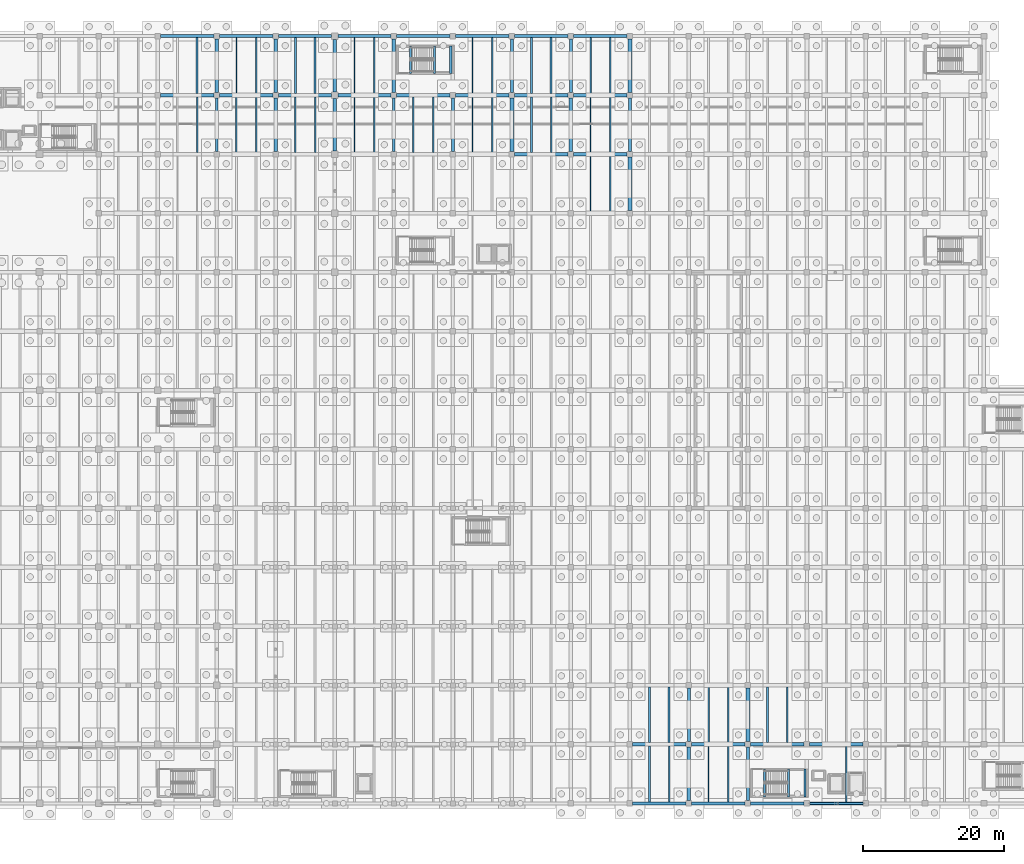
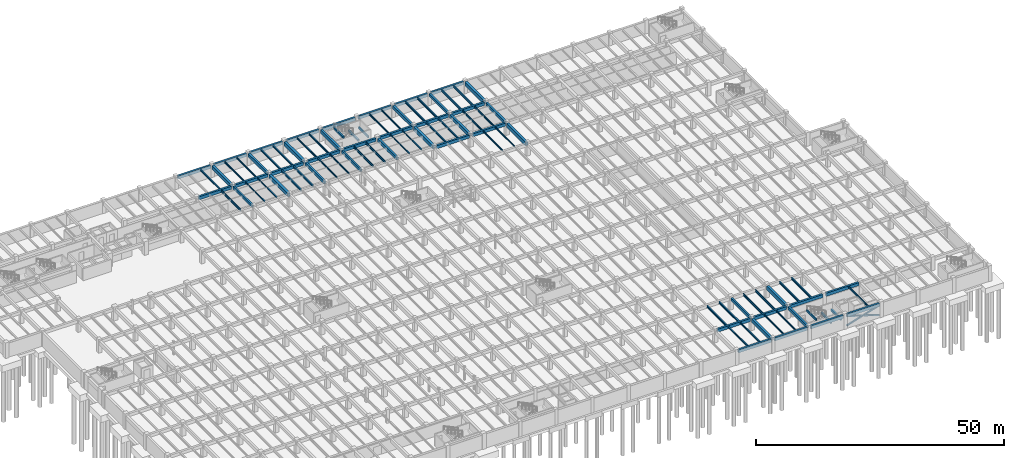
# One storey, part 30 of 70: 93 beams, 3 members.
"""IFC4 building model written with IfcOpenShell, lengths in metres."""

from ifc_helpers import new_model, si_unit, direction, frame, origin, origin_2d, place, context, subcontext, project, spatial, rectangle, hollow_rectangle, i_section, extrude, material, material_profile, profile_set, type_object, element, save


model = new_model("IFC4")

# Units and contexts
model_context = context("Model", 3, precision=1e-05, world=origin(), true_north=direction((0.0, 1.0)))
body_context = subcontext(model_context, "Body", "Model", "MODEL_VIEW")
ifc_project = project(units=[si_unit("LENGTHUNIT", "METRE"), si_unit("AREAUNIT", "SQUARE_METRE"), si_unit("VOLUMEUNIT", "CUBIC_METRE"), si_unit("PLANEANGLEUNIT", "RADIAN"), si_unit("MASSUNIT", "GRAM", prefix="KILO")], contexts=[model_context])

# Site, building, storey
site_placement = place(None, origin())
site = spatial("IfcSite", under=ifc_project, at=site_placement, CompositionType="ELEMENT")
building_placement = place(site_placement, origin())
building = spatial("IfcBuilding", under=site, at=building_placement, Name="Cumbredor Promenade Congress Hotel", CompositionType="ELEMENT")
storey_placement = place(building_placement, frame((0.0, 0.0, -7.56005859375)))
storey = spatial("IfcBuildingStorey", under=building, at=storey_placement, Name="B02", CompositionType="ELEMENT", Elevation=-7.56005859375)

# Beams
ifc_material_1 = material(Name="Concrete C40/50", Category="concrete")
ifc_material_profile_1 = material_profile(ifc_material_1, rectangle(XDim=0.39990234375, YDim=0.64990234375, at=origin_2d()), Name="RC BEAM 400x650")
ifc_profile_set_1 = profile_set([ifc_material_profile_1], Name="Concrete C40/50")
beam_type_1 = type_object("IfcBeamType", Name="BM-RC-400x650", PredefinedType="BEAM", material=ifc_profile_set_1)
for number, where, z_axis, x_axis, name in (
    (1, (67.199951171875, 101.199951171875, 2.635009765625), (0.0, 1.0, 0.0), (-1.0, 0.0, 0.0), "B01 Y-Grid Beam 200"),
    (2, (92.39990234375, 101.199951171875, 2.635009765625), (0.0, 1.0, 0.0), (-1.0, 0.0, 0.0), "B01 Y-Grid Beam 280"),
):
    element("IfcBeam", number, at=place(storey_placement, frame(where, z_axis=z_axis, x_axis=x_axis)), inside=storey, type_object=beam_type_1, Name=name, PredefinedType="BEAM", context=body_context, shape_type="SweptSolid", body=[
        extrude(rectangle(XDim=0.39990234375, YDim=0.64990234375, at=origin_2d()), origin(), (0.0, 0.0, 1.0), 7.60009765625),
    ])
beam_1_placement = place(storey_placement, frame((117.60009765625, 109.60009765625, 2.635009765625), z_axis=(0.0, 1.0, 0.0), x_axis=(-1.0, 0.0, 0.0)))
element("IfcBeam", 3, at=beam_1_placement, inside=storey, type_object=beam_type_1, Name="B01 Y-Grid Beam 360", PredefinedType="BEAM", context=body_context, shape_type="SweptSolid", body=[
    extrude(rectangle(XDim=0.39990234375, YDim=0.64990234375, at=origin_2d()), origin(), (0.0, 0.0, 1.0), 7.599853515625),
])
beam_2_placement = place(storey_placement, frame((134.39990234375, 17.199951171875, 2.635009765625), z_axis=(0.0, 1.0, 0.0), x_axis=(-1.0, 0.0, 0.0)))
element("IfcBeam", 4, at=beam_2_placement, inside=storey, type_object=beam_type_1, Name="B01 Y-Grid Beam 392", PredefinedType="BEAM", context=body_context, shape_type="SweptSolid", body=[
    extrude(rectangle(XDim=0.39990234375, YDim=0.64990234375, at=origin_2d()), origin(), (0.0, 0.0, 1.0), 7.60009765625),
])
ifc_material_profile_2 = material_profile(ifc_material_1, rectangle(XDim=0.449951171875, YDim=0.75, at=origin_2d()), Name="RC BEAM 450x750")
ifc_profile_set_2 = profile_set([ifc_material_profile_2], Name="Concrete C40/50")
beam_type_2 = type_object("IfcBeamType", Name="BM-RC-450x750", PredefinedType="BEAM", material=ifc_profile_set_2)
for number, where, z_axis, x_axis, name in (
    (5, (59.199951171875, 109.199951171875, 2.5849609375), (1.0, 0.0, 0.0), (0.0, 1.0, 0.0), "B01 X-Grid Beam 174"),
    (6, (59.199951171875, 117.60009765625, 2.5849609375), (1.0, 0.0, 0.0), (0.0, 1.0, 0.0), "B01 X-Grid Beam 176"),
):
    element("IfcBeam", number, at=place(storey_placement, frame(where, z_axis=z_axis, x_axis=x_axis)), inside=storey, type_object=beam_type_2, Name=name, PredefinedType="BEAM", context=body_context, shape_type="SweptSolid", body=[
        extrude(rectangle(XDim=0.449951171875, YDim=0.75, at=origin_2d()), origin(), (0.0, 0.0, 1.0), 7.60009765625),
    ])
for number, where, z_axis, x_axis, name in (
    (7, (67.60009765625, 109.199951171875, 2.5849609375), (1.0, 0.0, 0.0), (0.0, 1.0, 0.0), "B01 X-Grid Beam 201"),
    (8, (67.60009765625, 117.60009765625, 2.5849609375), (1.0, 0.0, 0.0), (0.0, 1.0, 0.0), "B01 X-Grid Beam 203"),
):
    element("IfcBeam", number, at=place(storey_placement, frame(where, z_axis=z_axis, x_axis=x_axis)), inside=storey, type_object=beam_type_2, Name=name, PredefinedType="BEAM", context=body_context, shape_type="SweptSolid", body=[
        extrude(rectangle(XDim=0.449951171875, YDim=0.75, at=origin_2d()), origin(), (0.0, 0.0, 1.0), 7.599853515625),
    ])
beam_3_placement = place(storey_placement, frame((76.0, 109.199951171875, 2.5849609375), z_axis=(1.0, 0.0, 0.0), x_axis=(0.0, 1.0, 0.0)))
element("IfcBeam", 9, at=beam_3_placement, inside=storey, type_object=beam_type_2, Name="B01 X-Grid Beam 228", PredefinedType="BEAM", context=body_context, shape_type="SweptSolid", body=[
    extrude(rectangle(XDim=0.449951171875, YDim=0.75, at=origin_2d()), origin(), (0.0, 0.0, 1.0), 7.550048828125),
])
beam_4_placement = place(storey_placement, frame((75.60009765625, 109.60009765625, 2.5849609375), z_axis=(0.0, 1.0, 0.0), x_axis=(-1.0, 0.0, 0.0)))
element("IfcBeam", 10, at=beam_4_placement, inside=storey, type_object=beam_type_2, Name="B01 Y-Grid Beam 229", PredefinedType="BEAM", context=body_context, shape_type="SweptSolid", body=[
    extrude(rectangle(XDim=0.449951171875, YDim=0.75, at=origin_2d()), origin(), (0.0, 0.0, 1.0), 7.599853515625),
])
beam_5_placement = place(storey_placement, frame((76.0, 117.60009765625, 2.5849609375), z_axis=(1.0, 0.0, 0.0), x_axis=(0.0, 1.0, 0.0)))
element("IfcBeam", 11, at=beam_5_placement, inside=storey, type_object=beam_type_2, Name="B01 X-Grid Beam 230", PredefinedType="BEAM", context=body_context, shape_type="SweptSolid", body=[
    extrude(rectangle(XDim=0.449951171875, YDim=0.75, at=origin_2d()), origin(), (0.0, 0.0, 1.0), 7.550048828125),
])
beam_6_placement = place(storey_placement, frame((84.0, 101.25, 2.5849609375), z_axis=(0.0, 1.0, 0.0), x_axis=(-1.0, 0.0, 0.0)))
element("IfcBeam", 12, at=beam_6_placement, inside=storey, type_object=beam_type_2, Name="B01 Y-Grid Beam 253", PredefinedType="BEAM", context=body_context, shape_type="SweptSolid", body=[
    extrude(rectangle(XDim=0.449951171875, YDim=0.75, at=origin_2d()), origin(), (0.0, 0.0, 1.0), 7.5),
])
for number, where, z_axis, x_axis, name in (
    (13, (84.449951171875, 109.199951171875, 2.5849609375), (1.0, 0.0, 0.0), (0.0, 1.0, 0.0), "B01 X-Grid Beam 254"),
    (14, (84.449951171875, 117.60009765625, 2.5849609375), (1.0, 0.0, 0.0), (0.0, 1.0, 0.0), "B01 X-Grid Beam 256"),
):
    element("IfcBeam", number, at=place(storey_placement, frame(where, z_axis=z_axis, x_axis=x_axis)), inside=storey, type_object=beam_type_2, Name=name, PredefinedType="BEAM", context=body_context, shape_type="SweptSolid", body=[
        extrude(rectangle(XDim=0.449951171875, YDim=0.75, at=origin_2d()), origin(), (0.0, 0.0, 1.0), 7.550048828125),
    ])
for number, where, z_axis, x_axis, name in (
    (15, (92.800048828125, 109.199951171875, 2.5849609375), (1.0, 0.0, 0.0), (0.0, 1.0, 0.0), "B01 X-Grid Beam 281"),
    (16, (92.800048828125, 117.60009765625, 2.5849609375), (1.0, 0.0, 0.0), (0.0, 1.0, 0.0), "B01 X-Grid Beam 283"),
):
    element("IfcBeam", number, at=place(storey_placement, frame(where, z_axis=z_axis, x_axis=x_axis)), inside=storey, type_object=beam_type_2, Name=name, PredefinedType="BEAM", context=body_context, shape_type="SweptSolid", body=[
        extrude(rectangle(XDim=0.449951171875, YDim=0.75, at=origin_2d()), origin(), (0.0, 0.0, 1.0), 7.599853515625),
    ])
for number, where, z_axis, x_axis, name in (
    (17, (100.800048828125, 101.199951171875, 2.5849609375), (0.0, 1.0, 0.0), (-1.0, 0.0, 0.0), "B01 Y-Grid Beam 305"),
    (18, (101.199951171875, 109.199951171875, 2.5849609375), (1.0, 0.0, 0.0), (0.0, 1.0, 0.0), "B01 X-Grid Beam 306"),
    (19, (101.199951171875, 117.60009765625, 2.5849609375), (1.0, 0.0, 0.0), (0.0, 1.0, 0.0), "B01 X-Grid Beam 307"),
):
    element("IfcBeam", number, at=place(storey_placement, frame(where, z_axis=z_axis, x_axis=x_axis)), inside=storey, type_object=beam_type_2, Name=name, PredefinedType="BEAM", context=body_context, shape_type="SweptSolid", body=[
        extrude(rectangle(XDim=0.449951171875, YDim=0.75, at=origin_2d()), origin(), (0.0, 0.0, 1.0), 7.60009765625),
    ])
for number, where, z_axis, x_axis, name in (
    (20, (109.60009765625, 100.800048828125, 2.5849609375), (1.0, 0.0, 0.0), (0.0, 1.0, 0.0), "B01 X-Grid Beam 330"),
    (21, (109.60009765625, 109.199951171875, 2.5849609375), (1.0, 0.0, 0.0), (0.0, 1.0, 0.0), "B01 X-Grid Beam 332"),
    (22, (109.199951171875, 109.60009765625, 2.5849609375), (0.0, 1.0, 0.0), (-1.0, 0.0, 0.0), "B01 Y-Grid Beam 333"),
    (23, (109.60009765625, 117.60009765625, 2.5849609375), (1.0, 0.0, 0.0), (0.0, 1.0, 0.0), "B01 X-Grid Beam 334"),
):
    element("IfcBeam", number, at=place(storey_placement, frame(where, z_axis=z_axis, x_axis=x_axis)), inside=storey, type_object=beam_type_2, Name=name, PredefinedType="BEAM", context=body_context, shape_type="SweptSolid", body=[
        extrude(rectangle(XDim=0.449951171875, YDim=0.75, at=origin_2d()), origin(), (0.0, 0.0, 1.0), 7.599853515625),
    ])
for number, where, z_axis, x_axis, name in (
    (24, (118.0, 100.800048828125, 2.5849609375), (1.0, 0.0, 0.0), (0.0, 1.0, 0.0), "B01 X-Grid Beam 357"),
    (25, (118.0, 109.199951171875, 2.5849609375), (1.0, 0.0, 0.0), (0.0, 1.0, 0.0), "B01 X-Grid Beam 359"),
    (26, (118.0, 117.60009765625, 2.5849609375), (1.0, 0.0, 0.0), (0.0, 1.0, 0.0), "B01 X-Grid Beam 361"),
    (27, (126.39990234375, 8.39990234375, 2.5849609375), (1.0, 0.0, 0.0), (0.0, 1.0, 0.0), "B01 X-Grid Beam 362"),
    (28, (126.39990234375, 16.800048828125, 2.5849609375), (1.0, 0.0, 0.0), (0.0, 1.0, 0.0), "B01 X-Grid Beam 364"),
    (29, (126.0, 101.199951171875, 2.5849609375), (0.0, 1.0, 0.0), (-1.0, 0.0, 0.0), "B01 Y-Grid Beam 385"),
):
    element("IfcBeam", number, at=place(storey_placement, frame(where, z_axis=z_axis, x_axis=x_axis)), inside=storey, type_object=beam_type_2, Name=name, PredefinedType="BEAM", context=body_context, shape_type="SweptSolid", body=[
        extrude(rectangle(XDim=0.449951171875, YDim=0.75, at=origin_2d()), origin(), (0.0, 0.0, 1.0), 7.60009765625),
    ])
for number, where, z_axis, x_axis, name in (
    (30, (134.800048828125, 8.39990234375, 2.5849609375), (1.0, 0.0, 0.0), (0.0, 1.0, 0.0), "B01 X-Grid Beam 389"),
    (31, (134.800048828125, 16.800048828125, 2.5849609375), (1.0, 0.0, 0.0), (0.0, 1.0, 0.0), "B01 X-Grid Beam 391"),
):
    element("IfcBeam", number, at=place(storey_placement, frame(where, z_axis=z_axis, x_axis=x_axis)), inside=storey, type_object=beam_type_2, Name=name, PredefinedType="BEAM", context=body_context, shape_type="SweptSolid", body=[
        extrude(rectangle(XDim=0.449951171875, YDim=0.75, at=origin_2d()), origin(), (0.0, 0.0, 1.0), 7.599853515625),
    ])
beam_7_placement = place(storey_placement, frame((143.199951171875, 8.39990234375, 2.5849609375), z_axis=(1.0, 0.0, 0.0), x_axis=(0.0, 1.0, 0.0)))
element("IfcBeam", 32, at=beam_7_placement, inside=storey, type_object=beam_type_2, Name="B01 X-Grid Beam 416", PredefinedType="BEAM", context=body_context, shape_type="SweptSolid", body=[
    extrude(rectangle(XDim=0.449951171875, YDim=0.75, at=origin_2d()), origin(), (0.0, 0.0, 1.0), 7.60009765625),
])
beam_8_placement = place(storey_placement, frame((142.800048828125, 8.800048828125, 2.5849609375), z_axis=(0.0, 1.0, 0.0), x_axis=(-1.0, 0.0, 0.0)))
element("IfcBeam", 33, at=beam_8_placement, inside=storey, type_object=beam_type_2, Name="B01 Y-Grid Beam 417", PredefinedType="BEAM", context=body_context, shape_type="SweptSolid", body=[
    extrude(rectangle(XDim=0.449951171875, YDim=0.75, at=origin_2d()), origin(), (0.0, 0.0, 1.0), 7.599853515625),
])
beam_9_placement = place(storey_placement, frame((143.199951171875, 16.800048828125, 2.5849609375), z_axis=(1.0, 0.0, 0.0), x_axis=(0.0, 1.0, 0.0)))
element("IfcBeam", 34, at=beam_9_placement, inside=storey, type_object=beam_type_2, Name="B01 X-Grid Beam 418", PredefinedType="BEAM", context=body_context, shape_type="SweptSolid", body=[
    extrude(rectangle(XDim=0.449951171875, YDim=0.75, at=origin_2d()), origin(), (0.0, 0.0, 1.0), 7.60009765625),
])
for number, where, z_axis, x_axis, name in (
    (35, (151.60009765625, 8.39990234375, 2.5849609375), (1.0, 0.0, 0.0), (0.0, 1.0, 0.0), "B01 X-Grid Beam 443"),
    (36, (151.60009765625, 16.800048828125, 2.5849609375), (1.0, 0.0, 0.0), (0.0, 1.0, 0.0), "B01 X-Grid Beam 444"),
):
    element("IfcBeam", number, at=place(storey_placement, frame(where, z_axis=z_axis, x_axis=x_axis)), inside=storey, type_object=beam_type_2, Name=name, PredefinedType="BEAM", context=body_context, shape_type="SweptSolid", body=[
        extrude(rectangle(XDim=0.449951171875, YDim=0.75, at=origin_2d()), origin(), (0.0, 0.0, 1.0), 7.599853515625),
    ])
ifc_material_profile_3 = material_profile(ifc_material_1, rectangle(XDim=0.5, YDim=0.85009765625, at=origin_2d()), Name="RC BEAM 500x850")
ifc_profile_set_3 = profile_set([ifc_material_profile_3], Name="Concrete C40/50")
beam_type_3 = type_object("IfcBeamType", Name="BM-RC-500x850", PredefinedType="BEAM", material=ifc_profile_set_3)
for number, where, z_axis, x_axis, name in (
    (37, (67.199951171875, 109.60009765625, 2.53515625), (0.0, 1.0, 0.0), (-1.0, 0.0, 0.0), "B01 Y-Grid Beam 202"),
    (38, (92.39990234375, 109.60009765625, 2.53515625), (0.0, 1.0, 0.0), (-1.0, 0.0, 0.0), "B01 Y-Grid Beam 282"),
):
    element("IfcBeam", number, at=place(storey_placement, frame(where, z_axis=z_axis, x_axis=x_axis)), inside=storey, type_object=beam_type_3, Name=name, PredefinedType="BEAM", context=body_context, shape_type="SweptSolid", body=[
        extrude(rectangle(XDim=0.5, YDim=0.85009765625, at=origin_2d()), origin(), (0.0, 0.0, 1.0), 7.599853515625),
    ])
beam_10_placement = place(storey_placement, frame((117.60009765625, 101.199951171875, 2.53515625), z_axis=(0.0, 1.0, 0.0), x_axis=(-1.0, 0.0, 0.0)))
element("IfcBeam", 39, at=beam_10_placement, inside=storey, type_object=beam_type_3, Name="B01 Y-Grid Beam 358", PredefinedType="BEAM", context=body_context, shape_type="SweptSolid", body=[
    extrude(rectangle(XDim=0.5, YDim=0.85009765625, at=origin_2d()), origin(), (0.0, 0.0, 1.0), 7.60009765625),
])
beam_11_placement = place(storey_placement, frame((134.39990234375, 8.800048828125, 2.53515625), z_axis=(0.0, 1.0, 0.0), x_axis=(-1.0, 0.0, 0.0)))
element("IfcBeam", 40, at=beam_11_placement, inside=storey, type_object=beam_type_3, Name="B01 Y-Grid Beam 390", PredefinedType="BEAM", context=body_context, shape_type="SweptSolid", body=[
    extrude(rectangle(XDim=0.5, YDim=0.85009765625, at=origin_2d()), origin(), (0.0, 0.0, 1.0), 7.599853515625),
])
ifc_material_profile_4 = material_profile(ifc_material_1, rectangle(XDim=0.550048828125, YDim=0.949951171875, at=origin_2d()), Name="RC BEAM 550x950")
ifc_profile_set_4 = profile_set([ifc_material_profile_4], Name="Concrete C40/50")
beam_type_4 = type_object("IfcBeamType", Name="BM-RC-550x950", PredefinedType="BEAM", material=ifc_profile_set_4)
beam_12_placement = place(storey_placement, frame((75.60009765625, 101.199951171875, 2.485107421875), z_axis=(0.0, 1.0, 0.0), x_axis=(-1.0, 0.0, 0.0)))
element("IfcBeam", 41, at=beam_12_placement, inside=storey, type_object=beam_type_4, Name="B01 Y-Grid Beam 227", PredefinedType="BEAM", context=body_context, shape_type="SweptSolid", body=[
    extrude(rectangle(XDim=0.550048828125, YDim=0.949951171875, at=origin_2d()), origin(), (0.0, 0.0, 1.0), 7.60009765625),
])
beam_13_placement = place(storey_placement, frame((84.0, 109.64990234375, 2.485107421875), z_axis=(0.0, 1.0, 0.0), x_axis=(-1.0, 0.0, 0.0)))
element("IfcBeam", 42, at=beam_13_placement, inside=storey, type_object=beam_type_4, Name="B01 Y-Grid Beam 255", PredefinedType="BEAM", context=body_context, shape_type="SweptSolid", body=[
    extrude(rectangle(XDim=0.550048828125, YDim=0.949951171875, at=origin_2d()), origin(), (0.0, 0.0, 1.0), 7.5),
])
beam_14_placement = place(storey_placement, frame((109.199951171875, 101.199951171875, 2.485107421875), z_axis=(0.0, 1.0, 0.0), x_axis=(-1.0, 0.0, 0.0)))
element("IfcBeam", 43, at=beam_14_placement, inside=storey, type_object=beam_type_4, Name="B01 Y-Grid Beam 331", PredefinedType="BEAM", context=body_context, shape_type="SweptSolid", body=[
    extrude(rectangle(XDim=0.550048828125, YDim=0.949951171875, at=origin_2d()), origin(), (0.0, 0.0, 1.0), 7.60009765625),
])
for number, where, z_axis, x_axis, name in (
    (44, (126.0, 92.800048828125, 2.485107421875), (0.0, 1.0, 0.0), (-1.0, 0.0, 0.0), "B01 Y-Grid Beam 383"),
    (45, (126.0, 109.60009765625, 2.485107421875), (0.0, 1.0, 0.0), (-1.0, 0.0, 0.0), "B01 Y-Grid Beam 387"),
):
    element("IfcBeam", number, at=place(storey_placement, frame(where, z_axis=z_axis, x_axis=x_axis)), inside=storey, type_object=beam_type_4, Name=name, PredefinedType="BEAM", context=body_context, shape_type="SweptSolid", body=[
        extrude(rectangle(XDim=0.550048828125, YDim=0.949951171875, at=origin_2d()), origin(), (0.0, 0.0, 1.0), 7.599853515625),
    ])
beam_15_placement = place(storey_placement, frame((142.800048828125, 17.199951171875, 2.485107421875), z_axis=(0.0, 1.0, 0.0), x_axis=(-1.0, 0.0, 0.0)))
element("IfcBeam", 46, at=beam_15_placement, inside=storey, type_object=beam_type_4, Name="B01 Y-Grid Beam 419", PredefinedType="BEAM", context=body_context, shape_type="SweptSolid", body=[
    extrude(rectangle(XDim=0.550048828125, YDim=0.949951171875, at=origin_2d()), origin(), (0.0, 0.0, 1.0), 7.60009765625),
])
ifc_material_2 = material(Name="Steel ASTM A992 Grade 50", Category="steel")
ifc_material_profile_5 = material_profile(ifc_material_2, i_section(OverallWidth=0.202880859375, OverallDepth=0.302978515625, WebThickness=0.007568359375, FlangeThickness=0.01318359375, at=origin_2d()), Name="W12X40")
ifc_profile_set_5 = profile_set([ifc_material_profile_5], Name="Steel ASTM A992 Grade 50")
beam_type_5 = type_object("IfcBeamType", Name="JST-W12X40", PredefinedType="JOIST", material=ifc_profile_set_5)
for number, where, z_axis, x_axis, name in (
    (47, (70.0, 101.02490234375, 2.80859375), (0.0, 1.0, 0.0), (-1.0, 0.0, 0.0), "B01 Secondary Floor Joist 0170"),
    (48, (72.800048828125, 101.02490234375, 2.80859375), (0.0, 1.0, 0.0), (-1.0, 0.0, 0.0), "B01 Secondary Floor Joist 0171"),
    (49, (86.800048828125, 101.02490234375, 2.80859375), (0.0, 1.0, 0.0), (-1.0, 0.0, 0.0), "B01 Secondary Floor Joist 0220"),
    (50, (89.60009765625, 101.02490234375, 2.80859375), (0.0, 1.0, 0.0), (-1.0, 0.0, 0.0), "B01 Secondary Floor Joist 0221"),
    (51, (103.60009765625, 101.02490234375, 2.80859375), (0.0, 1.0, 0.0), (-1.0, 0.0, 0.0), "B01 Secondary Floor Joist 0265"),
    (52, (106.39990234375, 101.02490234375, 2.80859375), (0.0, 1.0, 0.0), (-1.0, 0.0, 0.0), "B01 Secondary Floor Joist 0266"),
):
    element("IfcBeam", number, at=place(storey_placement, frame(where, z_axis=z_axis, x_axis=x_axis)), inside=storey, type_object=beam_type_5, Name=name, PredefinedType="JOIST", context=body_context, shape_type="SweptSolid", body=[
        extrude(i_section(OverallWidth=0.202880859375, OverallDepth=0.302978515625, WebThickness=0.007568359375, FlangeThickness=0.01318359375, at=origin_2d()), origin(), (0.0, 0.0, 1.0), 7.9501953125),
    ])
for number, where, z_axis, x_axis, name in (
    (53, (120.39990234375, 92.625, 2.80859375), (0.0, 1.0, 0.0), (-1.0, 0.0, 0.0), "B01 Secondary Floor Joist 0315"),
    (54, (123.199951171875, 92.625, 2.80859375), (0.0, 1.0, 0.0), (-1.0, 0.0, 0.0), "B01 Secondary Floor Joist 0316"),
):
    element("IfcBeam", number, at=place(storey_placement, frame(where, z_axis=z_axis, x_axis=x_axis)), inside=storey, type_object=beam_type_5, Name=name, PredefinedType="JOIST", context=body_context, shape_type="SweptSolid", body=[
        extrude(i_section(OverallWidth=0.202880859375, OverallDepth=0.302978515625, WebThickness=0.007568359375, FlangeThickness=0.01318359375, at=origin_2d()), origin(), (0.0, 0.0, 1.0), 7.949951171875),
    ])
ifc_material_profile_6 = material_profile(ifc_material_2, i_section(OverallWidth=0.2548828125, OverallDepth=0.35693359375, WebThickness=0.010498046875, FlangeThickness=0.018310546875, at=origin_2d()), Name="W14X68")
ifc_profile_set_6 = profile_set([ifc_material_profile_6], Name="Steel ASTM A992 Grade 50")
beam_type_6 = type_object("IfcBeamType", Name="JST-W14X68", PredefinedType="JOIST", material=ifc_profile_set_6)
for number, where, z_axis, x_axis, name in (
    (55, (64.39990234375, 109.425048828125, 2.781494140625), (0.0, 1.0, 0.0), (-1.0, 0.0, 0.0), "B01 Secondary Floor Joist 0147"),
    (56, (78.39990234375, 109.425048828125, 2.781494140625), (0.0, 1.0, 0.0), (-1.0, 0.0, 0.0), "B01 Secondary Floor Joist 0196"),
    (57, (81.199951171875, 109.425048828125, 2.781494140625), (0.0, 1.0, 0.0), (-1.0, 0.0, 0.0), "B01 Secondary Floor Joist 0197"),
):
    element("IfcBeam", number, at=place(storey_placement, frame(where, z_axis=z_axis, x_axis=x_axis)), inside=storey, type_object=beam_type_6, Name=name, PredefinedType="JOIST", context=body_context, shape_type="SweptSolid", body=[
        extrude(i_section(OverallWidth=0.2548828125, OverallDepth=0.35693359375, WebThickness=0.010498046875, FlangeThickness=0.018310546875, at=origin_2d()), origin(), (0.0, 0.0, 1.0), 7.949951171875),
    ])
for number, where, z_axis, x_axis, name in (
    (58, (112.0, 101.02490234375, 2.781494140625), (0.0, 1.0, 0.0), (-1.0, 0.0, 0.0), "B01 Secondary Floor Joist 0291"),
    (59, (114.800048828125, 101.02490234375, 2.781494140625), (0.0, 1.0, 0.0), (-1.0, 0.0, 0.0), "B01 Secondary Floor Joist 0292"),
):
    element("IfcBeam", number, at=place(storey_placement, frame(where, z_axis=z_axis, x_axis=x_axis)), inside=storey, type_object=beam_type_6, Name=name, PredefinedType="JOIST", context=body_context, shape_type="SweptSolid", body=[
        extrude(i_section(OverallWidth=0.2548828125, OverallDepth=0.35693359375, WebThickness=0.010498046875, FlangeThickness=0.018310546875, at=origin_2d()), origin(), (0.0, 0.0, 1.0), 7.9501953125),
    ])
for number, where, z_axis, x_axis, name in (
    (60, (128.800048828125, 8.625, 2.781494140625), (0.0, 1.0, 0.0), (-1.0, 0.0, 0.0), "B01 Secondary Floor Joist 0321"),
    (61, (131.60009765625, 8.625, 2.781494140625), (0.0, 1.0, 0.0), (-1.0, 0.0, 0.0), "B01 Secondary Floor Joist 0322"),
):
    element("IfcBeam", number, at=place(storey_placement, frame(where, z_axis=z_axis, x_axis=x_axis)), inside=storey, type_object=beam_type_6, Name=name, PredefinedType="JOIST", context=body_context, shape_type="SweptSolid", body=[
        extrude(i_section(OverallWidth=0.2548828125, OverallDepth=0.35693359375, WebThickness=0.010498046875, FlangeThickness=0.018310546875, at=origin_2d()), origin(), (0.0, 0.0, 1.0), 7.949951171875),
    ])
ifc_material_profile_7 = material_profile(ifc_material_2, i_section(OverallWidth=0.180908203125, OverallDepth=0.4169921875, WebThickness=0.010986328125, FlangeThickness=0.018310546875, at=origin_2d()), Name="W16X57")
ifc_profile_set_7 = profile_set([ifc_material_profile_7], Name="Steel ASTM A992 Grade 50")
beam_type_7 = type_object("IfcBeamType", Name="JST-W16X57", PredefinedType="JOIST", material=ifc_profile_set_7)
for number, where, z_axis, x_axis, name in (
    (62, (70.0, 109.425048828125, 2.75146484375), (0.0, 1.0, 0.0), (-1.0, 0.0, 0.0), "B01 Secondary Floor Joist 0172"),
    (63, (72.800048828125, 109.425048828125, 2.75146484375), (0.0, 1.0, 0.0), (-1.0, 0.0, 0.0), "B01 Secondary Floor Joist 0173"),
    (64, (86.800048828125, 109.425048828125, 2.75146484375), (0.0, 1.0, 0.0), (-1.0, 0.0, 0.0), "B01 Secondary Floor Joist 0222"),
    (65, (89.60009765625, 109.425048828125, 2.75146484375), (0.0, 1.0, 0.0), (-1.0, 0.0, 0.0), "B01 Secondary Floor Joist 0223"),
    (66, (103.60009765625, 109.425048828125, 2.75146484375), (0.0, 1.0, 0.0), (-1.0, 0.0, 0.0), "B01 Secondary Floor Joist 0267"),
    (67, (106.39990234375, 109.425048828125, 2.75146484375), (0.0, 1.0, 0.0), (-1.0, 0.0, 0.0), "B01 Secondary Floor Joist 0268"),
):
    element("IfcBeam", number, at=place(storey_placement, frame(where, z_axis=z_axis, x_axis=x_axis)), inside=storey, type_object=beam_type_7, Name=name, PredefinedType="JOIST", context=body_context, shape_type="SweptSolid", body=[
        extrude(i_section(OverallWidth=0.180908203125, OverallDepth=0.4169921875, WebThickness=0.010986328125, FlangeThickness=0.018310546875, at=origin_2d()), origin(), (0.0, 0.0, 1.0), 7.949951171875),
    ])
for number, where, z_axis, x_axis, name in (
    (68, (120.39990234375, 101.02490234375, 2.75146484375), (0.0, 1.0, 0.0), (-1.0, 0.0, 0.0), "B01 Secondary Floor Joist 0317"),
    (69, (123.199951171875, 101.02490234375, 2.75146484375), (0.0, 1.0, 0.0), (-1.0, 0.0, 0.0), "B01 Secondary Floor Joist 0318"),
):
    element("IfcBeam", number, at=place(storey_placement, frame(where, z_axis=z_axis, x_axis=x_axis)), inside=storey, type_object=beam_type_7, Name=name, PredefinedType="JOIST", context=body_context, shape_type="SweptSolid", body=[
        extrude(i_section(OverallWidth=0.180908203125, OverallDepth=0.4169921875, WebThickness=0.010986328125, FlangeThickness=0.018310546875, at=origin_2d()), origin(), (0.0, 0.0, 1.0), 7.9501953125),
    ])
for number, where, z_axis, x_axis, name in (
    (70, (137.199951171875, 8.625, 2.75146484375), (0.0, 1.0, 0.0), (-1.0, 0.0, 0.0), "B01 Secondary Floor Joist 0347"),
    (71, (140.0, 8.625, 2.75146484375), (0.0, 1.0, 0.0), (-1.0, 0.0, 0.0), "B01 Secondary Floor Joist 0348"),
    (72, (156.800048828125, 8.625, 2.75146484375), (0.0, 1.0, 0.0), (-1.0, 0.0, 0.0), "B01 Secondary Floor Joist 0397"),
):
    element("IfcBeam", number, at=place(storey_placement, frame(where, z_axis=z_axis, x_axis=x_axis)), inside=storey, type_object=beam_type_7, Name=name, PredefinedType="JOIST", context=body_context, shape_type="SweptSolid", body=[
        extrude(i_section(OverallWidth=0.180908203125, OverallDepth=0.4169921875, WebThickness=0.010986328125, FlangeThickness=0.018310546875, at=origin_2d()), origin(), (0.0, 0.0, 1.0), 7.949951171875),
    ])
ifc_material_profile_8 = material_profile(ifc_material_2, i_section(OverallWidth=0.280029296875, OverallDepth=0.462890625, WebThickness=0.0107421875, FlangeThickness=0.017333984375, at=origin_2d()), Name="W18X76")
ifc_profile_set_8 = profile_set([ifc_material_profile_8], Name="Steel ASTM A992 Grade 50")
beam_type_8 = type_object("IfcBeamType", Name="JST-W18X76", PredefinedType="JOIST", material=ifc_profile_set_8)
for number, where, z_axis, x_axis, name in (
    (73, (112.0, 109.425048828125, 2.728515625), (0.0, 1.0, 0.0), (-1.0, 0.0, 0.0), "B01 Secondary Floor Joist 0293"),
    (74, (114.800048828125, 109.425048828125, 2.728515625), (0.0, 1.0, 0.0), (-1.0, 0.0, 0.0), "B01 Secondary Floor Joist 0294"),
):
    element("IfcBeam", number, at=place(storey_placement, frame(where, z_axis=z_axis, x_axis=x_axis)), inside=storey, type_object=beam_type_8, Name=name, PredefinedType="JOIST", context=body_context, shape_type="SweptSolid", body=[
        extrude(i_section(OverallWidth=0.280029296875, OverallDepth=0.462890625, WebThickness=0.0107421875, FlangeThickness=0.017333984375, at=origin_2d()), origin(), (0.0, 0.0, 1.0), 7.949951171875),
    ])
for number, where, z_axis, x_axis, name in (
    (75, (128.800048828125, 17.02490234375, 2.728515625), (0.0, 1.0, 0.0), (-1.0, 0.0, 0.0), "B01 Secondary Floor Joist 0323"),
    (76, (131.60009765625, 17.02490234375, 2.728515625), (0.0, 1.0, 0.0), (-1.0, 0.0, 0.0), "B01 Secondary Floor Joist 0324"),
    (77, (145.60009765625, 17.02490234375, 2.728515625), (0.0, 1.0, 0.0), (-1.0, 0.0, 0.0), "B01 Secondary Floor Joist 0373"),
    (78, (148.39990234375, 17.02490234375, 2.728515625), (0.0, 1.0, 0.0), (-1.0, 0.0, 0.0), "B01 Secondary Floor Joist 0374"),
):
    element("IfcBeam", number, at=place(storey_placement, frame(where, z_axis=z_axis, x_axis=x_axis)), inside=storey, type_object=beam_type_8, Name=name, PredefinedType="JOIST", context=body_context, shape_type="SweptSolid", body=[
        extrude(i_section(OverallWidth=0.280029296875, OverallDepth=0.462890625, WebThickness=0.0107421875, FlangeThickness=0.017333984375, at=origin_2d()), origin(), (0.0, 0.0, 1.0), 7.9501953125),
    ])
ifc_material_profile_9 = material_profile(ifc_material_2, i_section(OverallWidth=0.214111328125, OverallDepth=0.549072265625, WebThickness=0.0146484375, FlangeThickness=0.023681640625, at=origin_2d()), Name="W21X93")
ifc_profile_set_9 = profile_set([ifc_material_profile_9], Name="Steel ASTM A992 Grade 50")
beam_type_9 = type_object("IfcBeamType", Name="JST-W21X93", PredefinedType="JOIST", material=ifc_profile_set_9)
for number, where, z_axis, x_axis, name in (
    (79, (64.39990234375, 101.02490234375, 2.685546875), (0.0, 1.0, 0.0), (-1.0, 0.0, 0.0), "B01 Secondary Floor Joist 0145"),
    (80, (78.39990234375, 101.02490234375, 2.685546875), (0.0, 1.0, 0.0), (-1.0, 0.0, 0.0), "B01 Secondary Floor Joist 0194"),
    (81, (81.199951171875, 101.02490234375, 2.685546875), (0.0, 1.0, 0.0), (-1.0, 0.0, 0.0), "B01 Secondary Floor Joist 0195"),
    (82, (95.199951171875, 101.02490234375, 2.685546875), (0.0, 1.0, 0.0), (-1.0, 0.0, 0.0), "B01 Secondary Floor Joist 0244"),
    (83, (98.0, 101.02490234375, 2.685546875), (0.0, 1.0, 0.0), (-1.0, 0.0, 0.0), "B01 Secondary Floor Joist 0245"),
):
    element("IfcBeam", number, at=place(storey_placement, frame(where, z_axis=z_axis, x_axis=x_axis)), inside=storey, type_object=beam_type_9, Name=name, PredefinedType="JOIST", context=body_context, shape_type="SweptSolid", body=[
        extrude(i_section(OverallWidth=0.214111328125, OverallDepth=0.549072265625, WebThickness=0.0146484375, FlangeThickness=0.023681640625, at=origin_2d()), origin(), (0.0, 0.0, 1.0), 7.9501953125),
    ])
for number, where, z_axis, x_axis, name in (
    (84, (120.39990234375, 109.425048828125, 2.685546875), (0.0, 1.0, 0.0), (-1.0, 0.0, 0.0), "B01 Secondary Floor Joist 0319"),
    (85, (123.199951171875, 109.425048828125, 2.685546875), (0.0, 1.0, 0.0), (-1.0, 0.0, 0.0), "B01 Secondary Floor Joist 0320"),
):
    element("IfcBeam", number, at=place(storey_placement, frame(where, z_axis=z_axis, x_axis=x_axis)), inside=storey, type_object=beam_type_9, Name=name, PredefinedType="JOIST", context=body_context, shape_type="SweptSolid", body=[
        extrude(i_section(OverallWidth=0.214111328125, OverallDepth=0.549072265625, WebThickness=0.0146484375, FlangeThickness=0.023681640625, at=origin_2d()), origin(), (0.0, 0.0, 1.0), 7.949951171875),
    ])
for number, where, z_axis, x_axis, name in (
    (86, (137.199951171875, 17.02490234375, 2.685546875), (0.0, 1.0, 0.0), (-1.0, 0.0, 0.0), "B01 Secondary Floor Joist 0349"),
    (87, (140.0, 17.02490234375, 2.685546875), (0.0, 1.0, 0.0), (-1.0, 0.0, 0.0), "B01 Secondary Floor Joist 0350"),
):
    element("IfcBeam", number, at=place(storey_placement, frame(where, z_axis=z_axis, x_axis=x_axis)), inside=storey, type_object=beam_type_9, Name=name, PredefinedType="JOIST", context=body_context, shape_type="SweptSolid", body=[
        extrude(i_section(OverallWidth=0.214111328125, OverallDepth=0.549072265625, WebThickness=0.0146484375, FlangeThickness=0.023681640625, at=origin_2d()), origin(), (0.0, 0.0, 1.0), 7.9501953125),
    ])
ifc_material_profile_10 = material_profile(ifc_material_1, rectangle(XDim=0.300048828125, YDim=0.5, at=origin_2d()), Name="RC LINTEL 300x500")
ifc_profile_set_10 = profile_set([ifc_material_profile_10], Name="Concrete C40/50")
beam_type_10 = type_object("IfcBeamType", Name="LN-RC-300x500", PredefinedType="LINTEL", material=ifc_profile_set_10)
for number, where, z_axis, x_axis, name in (
    (88, (150.89990234375, 9.330078125, 1.22998046875), (0.0, 1.0, 0.0), (-1.0, 0.0, 0.0), "B02 Stair ST-08 Landing Ledger Beam E"),
    (89, (148.60009765625, 9.330078125, 1.22998046875), (0.0, 1.0, 0.0), (-1.0, 0.0, 0.0), "B02 Stair ST-08 Landing Ledger Beam W"),
    (90, (145.14990234375, 9.330078125, 3.110107421875), (0.0, 1.0, 0.0), (-1.0, 0.0, 0.0), "B01 Stair ST-08 Well Header Trimmer Beam"),
):
    element("IfcBeam", number, at=place(storey_placement, frame(where, z_axis=z_axis, x_axis=x_axis)), inside=storey, type_object=beam_type_10, Name=name, PredefinedType="LINTEL", context=body_context, shape_type="SweptSolid", body=[
        extrude(rectangle(XDim=0.300048828125, YDim=0.5, at=origin_2d()), origin(), (0.0, 0.0, 1.0), 3.969970703125),
    ])
for number, where, z_axis, x_axis, name in (
    (91, (100.5, 112.25, 1.22998046875), (0.0, 1.0, 0.0), (-1.0, 0.0, 0.0), "B02 Stair ST-15 Landing Ledger Beam E"),
    (92, (98.199951171875, 112.25, 1.22998046875), (0.0, 1.0, 0.0), (-1.0, 0.0, 0.0), "B02 Stair ST-15 Landing Ledger Beam W"),
    (93, (94.75, 112.25, 3.110107421875), (0.0, 1.0, 0.0), (-1.0, 0.0, 0.0), "B01 Stair ST-15 Well Header Trimmer Beam"),
):
    element("IfcBeam", number, at=place(storey_placement, frame(where, z_axis=z_axis, x_axis=x_axis)), inside=storey, type_object=beam_type_10, Name=name, PredefinedType="LINTEL", context=body_context, shape_type="SweptSolid", body=[
        extrude(rectangle(XDim=0.300048828125, YDim=0.5, at=origin_2d()), origin(), (0.0, 0.0, 1.0), 3.949951171875),
    ])

# Members
ifc_material_3 = material(Name="Steel ASTM A500 Grade C", Category="steel")
ifc_material_profile_11 = material_profile(ifc_material_3, hollow_rectangle(XDim=0.300048828125, YDim=0.300048828125, WallThickness=0.01611328125, at=origin_2d()), Name="HSS 300x300x16")
ifc_profile_set_11 = profile_set([ifc_material_profile_11], Name="Steel ASTM A500 Grade C")
member_type = type_object("IfcMemberType", Name="Seismic Frame Brace CBF-1", PredefinedType="BRACE", material=ifc_profile_set_11)
member_placement = place(storey_placement, frame((151.60009765625, 8.39990234375, 0.0), z_axis=(0.95536532131, 0.0, 0.295426983936), x_axis=(0.0, 1.0, 0.0)))
element("IfcMember", 94, at=member_placement, inside=storey, type_object=member_type, Name="B02 X-Brace Continuous Diagonal 3A", PredefinedType="BRACE", context=body_context, shape_type="SweptSolid", body=[
    extrude(hollow_rectangle(XDim=0.300048828125, YDim=0.300048828125, WallThickness=0.01611328125, at=origin_2d()), origin(), (0.0, 0.0, 1.0), 7.954833984375),
])
for number, where, z_axis, x_axis, name in (
    (95, (159.199951171875, 8.39990234375, 0.0), (-0.955355715875, 0.0, 0.295458044643), (0.0, -1.0, 0.0), "B02 X-Brace Lower Split Diagonal 3B1"),
    (96, (155.170654296875, 8.39990234375, 1.245849609375), (-0.955355715875, 0.0, 0.295458044643), (0.0, -1.0, 0.0), "B02 X-Brace Upper Split Diagonal 3B2"),
):
    element("IfcMember", number, at=place(storey_placement, frame(where, z_axis=z_axis, x_axis=x_axis)), inside=storey, type_object=member_type, Name=name, PredefinedType="BRACE", context=body_context, shape_type="SweptSolid", body=[
        extrude(hollow_rectangle(XDim=0.300048828125, YDim=0.300048828125, WallThickness=0.01611328125, at=origin_2d()), origin(), (0.0, 0.0, 1.0), 3.7373046875),
    ])

save(model, "model.ifc")
